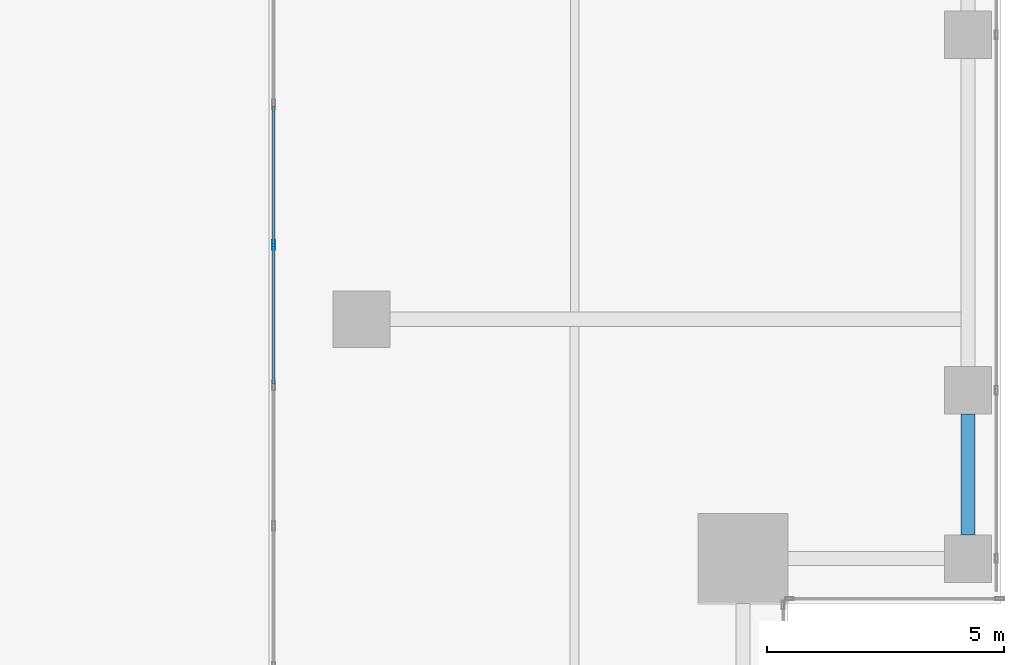
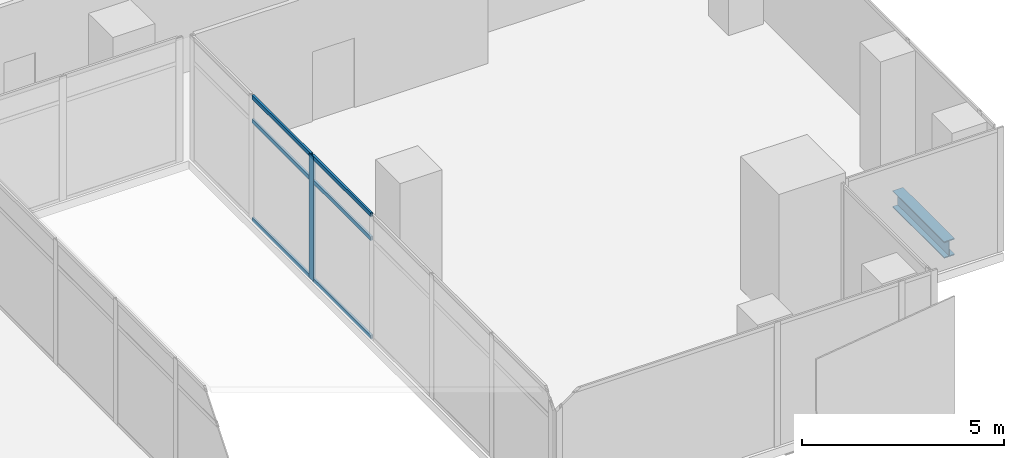
# One storey, part 11 of 40: 7 members, 1 beam, 1 element without a shape of its own.
"""IFC4 building model written with IfcOpenShell, lengths in metres."""

from ifc_helpers import new_model, si_unit, direction, frame, origin, origin_2d, place, context, subcontext, project, spatial, hollow_rectangle, i_section, extrude, source, transform, mapped, material, material_profile, profile_set, type_object, element, aggregate, save


model = new_model("IFC4")

# Units and contexts
model_context = context("Model", 3, precision=1e-05, world=origin(), true_north=direction((0.0, 1.0)))
body_context = subcontext(model_context, "Body", "Model", "MODEL_VIEW")
ifc_project = project(units=[si_unit("LENGTHUNIT", "METRE"), si_unit("AREAUNIT", "SQUARE_METRE"), si_unit("VOLUMEUNIT", "CUBIC_METRE"), si_unit("PLANEANGLEUNIT", "RADIAN"), si_unit("MASSUNIT", "GRAM", prefix="KILO")], contexts=[model_context])

# Site, building, storey
site_placement = place(None, origin())
site = spatial("IfcSite", under=ifc_project, at=site_placement, CompositionType="ELEMENT")
building_placement = place(site_placement, origin())
building = spatial("IfcBuilding", under=site, at=building_placement, Name="Khomas Fold Tower", CompositionType="ELEMENT")
storey_placement = place(building_placement, frame((0.0, 0.0, 184.699951171875)))
storey = spatial("IfcBuildingStorey", under=building, at=storey_placement, Name="L40", CompositionType="ELEMENT", Elevation=184.699951171875)

# Beam
ifc_material_1 = material(Name="Steel S355", Category="steel")
ifc_material_profile_1 = material_profile(ifc_material_1, i_section(OverallWidth=0.300048828125, OverallDepth=0.5, WebThickness=0.014404296875, FlangeThickness=0.028076171875, at=origin_2d()), Name="HE 500 B")
ifc_profile_set_1 = profile_set([ifc_material_profile_1], Name="Steel S355")
beam_type = type_object("IfcBeamType", Name="HE 500 B spandrel SB3", PredefinedType="SPANDREL", material=ifc_profile_set_1)
shared_shape_1 = source(origin(), body_context, "Body", "SweptSolid", [
    extrude(i_section(OverallWidth=0.300048828125, OverallDepth=0.5, WebThickness=0.014404296875, FlangeThickness=0.028076171875, at=origin_2d()), origin(), (0.0, 0.0, 1.0), 2.550048828125),
])
beam_placement = place(storey_placement, frame((50.300048828125, 8.949951171875, -0.5), z_axis=(0.0, 1.0, 0.0), x_axis=(-1.0, 0.0, 0.0)))
element("IfcBeam", 1, at=beam_placement, inside=storey, type_object=beam_type, Name="SB3", PredefinedType="SPANDREL", context=body_context, shape_type="MappedRepresentation", body=[
    mapped(shared_shape_1, transform((0.0, 0.0, 0.0))),
])

# Curtain wall, members
ifc_material_2 = material(Name="Aluminium framed double glazing", Category="aluminium")
curtain_wall_type = type_object("IfcCurtainWallType", Name="Notch glazing GN-CW", PredefinedType="NOTDEFINED", material=ifc_material_2)
curtain_wall_placement = place(storey_placement, origin())
curtain_wall = element("IfcCurtainWall", 2, at=curtain_wall_placement, inside=storey, type_object=curtain_wall_type, Name="Notch glazing run", PredefinedType="NOTDEFINED")
ifc_material_3 = material(Name="Aluminium", Category="aluminium")
ifc_material_profile_2 = material_profile(ifc_material_3, hollow_rectangle(XDim=0.06005859375, YDim=0.1201171875, WallThickness=0.00390625, at=origin_2d()), Name="Notch glazing transom GN-CW-T")
ifc_profile_set_2 = profile_set([ifc_material_profile_2], Name="Aluminium")
member_type_1 = type_object("IfcMemberType", Name="Notch glazing transom GN-CW-T", PredefinedType="USERDEFINED", material=ifc_profile_set_2)
shared_shape_2 = source(origin(), body_context, "Body", "SweptSolid", [
    extrude(hollow_rectangle(XDim=0.06005859375, YDim=0.1201171875, WallThickness=0.00390625, at=origin_2d()), origin(), (0.0, 0.0, 1.0), 2.90673828125),
])
member_1_placement = place(storey_placement, frame((35.64990234375, 18.00341796875, 0.030029296875), z_axis=(0.0, -1.0, 0.0), x_axis=(1.0, 0.0, 0.0)))
member_1 = element("IfcMember", 3, at=member_1_placement, type_object=member_type_1, Name="GN-CW transom 2.1", ObjectType="TRANSOM", PredefinedType="USERDEFINED", context=body_context, shape_type="MappedRepresentation", body=[
    mapped(shared_shape_2, transform((0.0, 0.0, 0.0))),
])
member_2_placement = place(storey_placement, frame((35.64990234375, 18.00341796875, 3.0), z_axis=(0.0, -1.0, 0.0), x_axis=(1.0, 0.0, 0.0)))
member_2 = element("IfcMember", 4, at=member_2_placement, type_object=member_type_1, Name="GN-CW transom 2.2", ObjectType="TRANSOM", PredefinedType="USERDEFINED", context=body_context, shape_type="MappedRepresentation", body=[
    mapped(shared_shape_2, transform((0.0, 0.0, 0.0))),
])
member_3_placement = place(storey_placement, frame((35.64990234375, 18.00341796875, 3.719970703125), z_axis=(0.0, -1.0, 0.0), x_axis=(1.0, 0.0, 0.0)))
member_3 = element("IfcMember", 5, at=member_3_placement, type_object=member_type_1, Name="GN-CW transom 2.3", ObjectType="TRANSOM", PredefinedType="USERDEFINED", context=body_context, shape_type="MappedRepresentation", body=[
    mapped(shared_shape_2, transform((0.0, 0.0, 0.0))),
])
member_4_placement = place(storey_placement, frame((35.64990234375, 15.03662109375, 0.030029296875), z_axis=(0.0, -1.0, 0.0), x_axis=(1.0, 0.0, 0.0)))
member_4 = element("IfcMember", 6, at=member_4_placement, type_object=member_type_1, Name="GN-CW transom 3.1", ObjectType="TRANSOM", PredefinedType="USERDEFINED", context=body_context, shape_type="MappedRepresentation", body=[
    mapped(shared_shape_2, transform((0.0, 0.0, 0.0))),
])
member_5_placement = place(storey_placement, frame((35.64990234375, 15.03662109375, 3.0), z_axis=(0.0, -1.0, 0.0), x_axis=(1.0, 0.0, 0.0)))
member_5 = element("IfcMember", 7, at=member_5_placement, type_object=member_type_1, Name="GN-CW transom 3.2", ObjectType="TRANSOM", PredefinedType="USERDEFINED", context=body_context, shape_type="MappedRepresentation", body=[
    mapped(shared_shape_2, transform((0.0, 0.0, 0.0))),
])
member_6_placement = place(storey_placement, frame((35.64990234375, 15.03662109375, 3.719970703125), z_axis=(0.0, -1.0, 0.0), x_axis=(1.0, 0.0, 0.0)))
member_6 = element("IfcMember", 8, at=member_6_placement, type_object=member_type_1, Name="GN-CW transom 3.3", ObjectType="TRANSOM", PredefinedType="USERDEFINED", context=body_context, shape_type="MappedRepresentation", body=[
    mapped(shared_shape_2, transform((0.0, 0.0, 0.0))),
])
ifc_material_4 = material(Name="Aluminium", Category="aluminium")
ifc_material_profile_3 = material_profile(ifc_material_4, hollow_rectangle(XDim=0.06005859375, YDim=0.199951171875, WallThickness=0.00390625, at=origin_2d()), Name="Notch glazing mullion GN-CW-M")
ifc_profile_set_3 = profile_set([ifc_material_profile_3], Name="Aluminium")
member_type_2 = type_object("IfcMemberType", Name="Notch glazing mullion GN-CW-M", PredefinedType="MULLION", material=ifc_profile_set_3)
shared_shape_3 = source(origin(), body_context, "Body", "SweptSolid", [
    extrude(hollow_rectangle(XDim=0.06005859375, YDim=0.199951171875, WallThickness=0.00390625, at=origin_2d()), origin(), (0.0, 0.0, 1.0), 3.75),
])
member_7_placement = place(storey_placement, frame((35.64990234375, 15.066650390625, 0.0), z_axis=(0.0, 0.0, 1.0), x_axis=(1.0, 0.0, 0.0)))
member_7 = element("IfcMember", 9, at=member_7_placement, type_object=member_type_2, Name="GN-CW mullion 3", PredefinedType="MULLION", context=body_context, shape_type="MappedRepresentation", body=[
    mapped(shared_shape_3, transform((0.0, 0.0, 0.0))),
])
aggregate(curtain_wall, [member_7, member_1, member_2, member_3, member_4, member_5, member_6])

save(model, "model.ifc")
